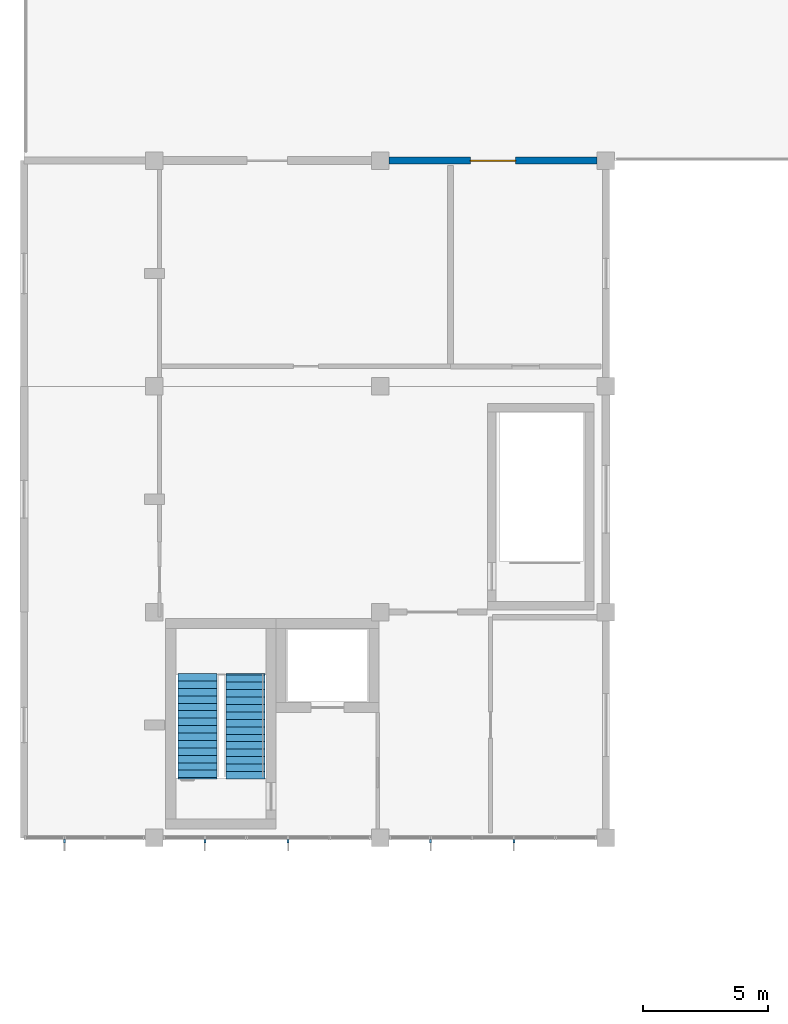
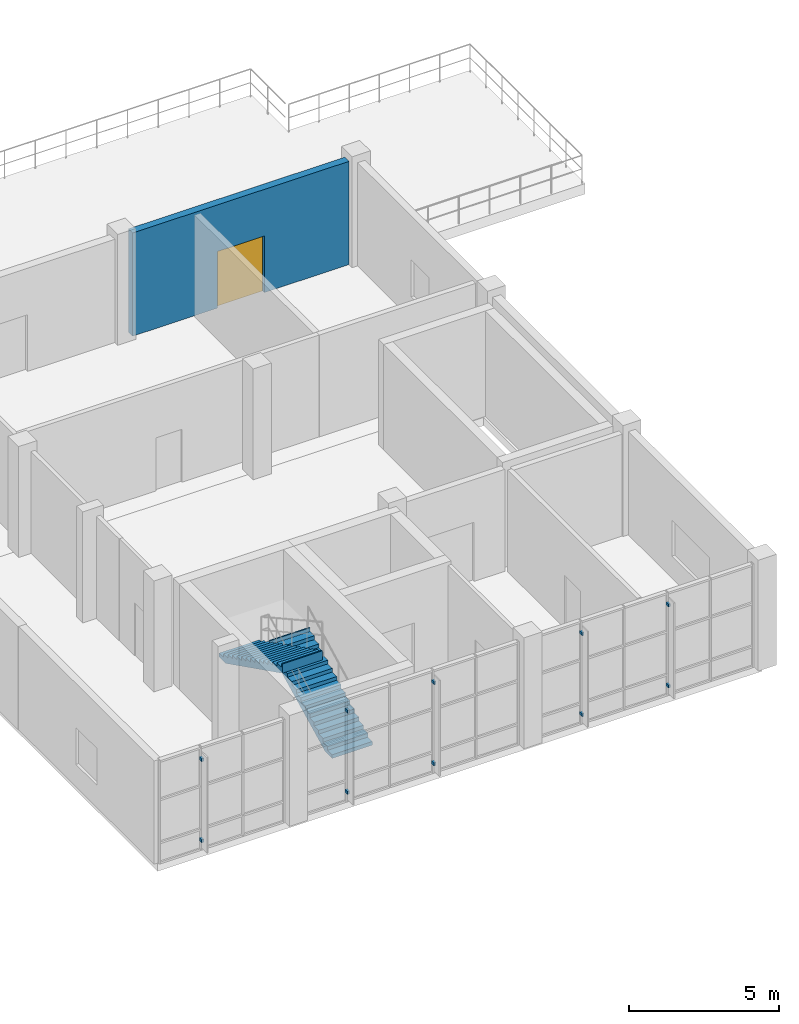
# One storey, part 26 of 29: 10 discrete accessories, 2 stair flights, 1 door, 1 wall, 1 opening, 1 element without a shape of its own.
"""IFC4 building model written with IfcOpenShell, lengths in metres."""

import ifcopenshell
import ifcopenshell.guid

model = None  # the IFC model being written
_history = None  # IfcOwnerHistory: only IFC2X3 demands one
_inside = {}  # id of a spatial element -> (the spatial element, [elements in it])
_under = {}  # id of a project, library or spatial element -> (it, [spatial elements below it])
_declared = {}  # id of a project -> (the project, [libraries it declares])
_typed = {}  # id of a type object -> (the type object, [elements of that type])
_made_of = {}  # id of a material, layer set ... -> (it, [elements and type objects made of it])


def new_model(schema):
    """Start an empty IFC model of exactly this schema.

    Asked for "IFC4X3", IfcOpenShell would pick the latest addendum, in which some entities
    have other attributes; the version numbers below select the first issue.
    IFC2X3 requires an IfcOwnerHistory on every rooted entity: one is made here for all.
    """
    global model, _history
    if schema == "IFC4X3":
        model = ifcopenshell.file(schema_version=(4, 3, 0, 0))
    else:
        model = ifcopenshell.file(schema=schema)
    _inside.clear()
    _under.clear()
    _declared.clear()
    _typed.clear()
    _made_of.clear()
    _history = None
    if model.schema == "IFC2X3":
        org = make("IfcOrganization", Name="unknown")
        user = make(
            "IfcPersonAndOrganization",
            ThePerson=make("IfcPerson", FamilyName="unknown"),
            TheOrganization=org,
        )
        app = make(
            "IfcApplication",
            ApplicationDeveloper=org,
            Version="unknown",
            ApplicationFullName="unknown",
            ApplicationIdentifier="unknown",
        )
        _history = make(
            "IfcOwnerHistory",
            OwningUser=user,
            OwningApplication=app,
            ChangeAction="ADDED",
            CreationDate=0,
        )
    return model


def make(cls, **values):
    """One entity of the class cls with the attributes given. An attribute that is None is left unset."""
    return model.create_entity(
        cls, **{name: value for name, value in values.items() if value is not None}
    )


def rooted(cls, **values):
    """An entity with a GlobalId (a new one), such as an element, a storey or a relation."""
    return make(cls, GlobalId=ifcopenshell.guid.new(), OwnerHistory=_history, **values)


def si_unit(unit_type, name, prefix=None):
    """IfcSIUnit, for example si_unit("LENGTHUNIT", "METRE", prefix="MILLI")."""
    return make("IfcSIUnit", UnitType=unit_type, Prefix=prefix, Name=name)


def assignment(units):
    """IfcUnitAssignment: the units of a project."""
    return None if units is None else make("IfcUnitAssignment", Units=units)


def point(xyz):
    """IfcCartesianPoint."""
    return None if xyz is None else make("IfcCartesianPoint", Coordinates=xyz)


def direction(xyz):
    """IfcDirection."""
    return None if xyz is None else make("IfcDirection", DirectionRatios=xyz)


def frame(location, z_axis=None, x_axis=None):
    """IfcAxis2Placement3D, a coordinate frame: its origin and axes. An axis left out is left unset."""
    return make(
        "IfcAxis2Placement3D",
        Location=point(location),
        Axis=direction(z_axis),
        RefDirection=direction(x_axis),
    )


def frame_2d(location, x_axis=None):
    """IfcAxis2Placement2D, a coordinate frame in the plane: its origin and x axis."""
    return make(
        "IfcAxis2Placement2D", Location=point(location), RefDirection=direction(x_axis)
    )


def origin():
    """The frame at (0, 0, 0) with its axes left unset."""
    return frame((0.0, 0.0, 0.0))


def origin_2d():
    """The frame at (0, 0) in the plane with its x axis left unset."""
    return frame_2d((0.0, 0.0))


def place(relative_to, where):
    """IfcLocalPlacement: puts the frame where relative to a parent placement (None: the world)."""
    return make(
        "IfcLocalPlacement", PlacementRelTo=relative_to, RelativePlacement=where
    )


def context(
    kind, dimensions, precision=None, world=None, true_north=None, identifier=None
):
    """IfcGeometricRepresentationContext, for example the 3D "Model" context."""
    return make(
        "IfcGeometricRepresentationContext",
        ContextIdentifier=identifier,
        ContextType=kind,
        CoordinateSpaceDimension=dimensions,
        Precision=precision,
        WorldCoordinateSystem=world,
        TrueNorth=true_north,
    )


def subcontext(parent, identifier, kind, view, scale=None):
    """IfcGeometricRepresentationSubContext, for example "Body" below "Model"."""
    return make(
        "IfcGeometricRepresentationSubContext",
        ContextIdentifier=identifier,
        ContextType=kind,
        ParentContext=parent,
        TargetScale=scale,
        TargetView=view,
    )


def project(units=None, contexts=None):
    """IfcProject with its units and contexts."""
    return rooted(
        "IfcProject",
        Name="project",
        RepresentationContexts=contexts,
        UnitsInContext=assignment(units),
    )


def spatial(cls, under=None, at=None, **own):
    """A site, building, storey or space (cls), placed at a placement, below another one or the project."""
    s = rooted(cls, ObjectPlacement=at, **own)
    if under is not None:
        _under.setdefault(under.id(), (under, []))[1].append(s)
    return s


def polyline(points):
    """IfcPolyline through the points."""
    return make("IfcPolyline", Points=[point(p) for p in points])


def profile(cls, at=None, kind="AREA", **sizes):
    """A parametric profile (cls). Its sizes go by their IFC names, for example OverallWidth=200.0."""
    return make(cls, ProfileType=kind, Position=at, **sizes)


def rectangle(**sizes):
    """IfcRectangleProfileDef."""
    return profile("IfcRectangleProfileDef", **sizes)


def outline(outer, holes=None, kind="AREA"):
    """IfcArbitraryClosedProfileDef: a profile drawn as a closed curve; with holes, ...WithVoids."""
    if holes is None:
        return make("IfcArbitraryClosedProfileDef", ProfileType=kind, OuterCurve=outer)
    return make(
        "IfcArbitraryProfileDefWithVoids",
        ProfileType=kind,
        OuterCurve=outer,
        InnerCurves=holes,
    )


def extrude(swept, where, along, depth):
    """IfcExtrudedAreaSolid: the profile swept, set in the frame where, extruded along a direction by depth."""
    return make(
        "IfcExtrudedAreaSolid",
        SweptArea=swept,
        Position=where,
        ExtrudedDirection=direction(along),
        Depth=depth,
    )


def shape(context_of_items, identifier, shape_type, items):
    """IfcShapeRepresentation: the items that make up one representation, for example the "Body"."""
    return make(
        "IfcShapeRepresentation",
        ContextOfItems=context_of_items,
        RepresentationIdentifier=identifier,
        RepresentationType=shape_type,
        Items=items,
    )


def material(Name=None, Category=None):
    """IfcMaterial."""
    return make("IfcMaterial", Name=Name, Category=Category)


def layer(
    of_material, thickness, ventilated=None, Name=None, Category=None, Priority=None
):
    """IfcMaterialLayer: one layer of a wall or slab, of a material (None: an air gap)."""
    return make(
        "IfcMaterialLayer",
        Material=of_material,
        LayerThickness=thickness,
        IsVentilated=ventilated,
        Name=Name,
        Category=Category,
        Priority=Priority,
    )


def layer_set(layers, Name=None):
    """IfcMaterialLayerSet."""
    return make("IfcMaterialLayerSet", MaterialLayers=layers, LayerSetName=Name)


def made_of(thing, what):
    """Note that an element or type object is made of a material, layer set ...; save() writes the relation."""
    if what is not None:
        _made_of.setdefault(what.id(), (what, []))[1].append(thing)
    return thing


def type_object(cls, material=None, **own):
    """A type object (cls), such as IfcWallType, which elements share."""
    return made_of(rooted(cls, **own), material)


def element(
    cls,
    number,
    at=None,
    inside=None,
    cuts=None,
    type_object=None,
    material=None,
    context=None,
    identifier="Body",
    shape_type=None,
    held_by="IfcProductDefinitionShape",
    body=None,
    shapes=None,
    **own,
):
    """One element of the class cls, such as IfcWall. Its Tag is "e" and its number.

    at: its placement. inside: the storey or other place that contains it. cuts: it is an
    opening in that element (IfcRelVoidsElement). A single representation is given by context,
    identifier, shape_type and body (its items); several are given by shapes. held_by: the class
    of the entity that holds the representations. save() writes the other relations.
    """
    e = rooted(cls, Tag="e%d" % number, ObjectPlacement=at, **own)
    if body is not None:
        shapes = [shape(context, identifier, shape_type, body)]
    if shapes is not None:
        e.Representation = make(held_by, Representations=shapes)
    if inside is not None:
        _inside.setdefault(inside.id(), (inside, []))[1].append(e)
    if cuts is not None:
        rooted(
            "IfcRelVoidsElement", RelatingBuildingElement=cuts, RelatedOpeningElement=e
        )
    if type_object is not None:
        _typed.setdefault(type_object.id(), (type_object, []))[1].append(e)
    return made_of(e, material)


def fill(opening, filler):
    """IfcRelFillsElement: the door or window that sits in an opening."""
    return rooted(
        "IfcRelFillsElement",
        RelatingOpeningElement=opening,
        RelatedBuildingElement=filler,
    )


def aggregate(whole, parts):
    """IfcRelAggregates: a whole, such as a stair, and the parts it consists of."""
    return rooted("IfcRelAggregates", RelatingObject=whole, RelatedObjects=parts)


def save(model, path):
    """Write the relations noted so far, then the file.

    IfcRelAggregates (storeys below a building ...), IfcRelContainedInSpatialStructure (elements
    in a storey), IfcRelDefinesByType, IfcRelAssociatesMaterial and IfcRelDeclares: one each for
    every whole, place, type object, material and project.
    """
    for whole, parts in _under.values():
        aggregate(whole, parts)
    for where, things in _inside.values():
        rooted(
            "IfcRelContainedInSpatialStructure",
            RelatedElements=things,
            RelatingStructure=where,
        )
    for kind, things in _typed.values():
        rooted("IfcRelDefinesByType", RelatedObjects=things, RelatingType=kind)
    for what, things in _made_of.values():
        rooted("IfcRelAssociatesMaterial", RelatedObjects=things, RelatingMaterial=what)
    for by, libraries in _declared.values():
        rooted("IfcRelDeclares", RelatingContext=by, RelatedDefinitions=libraries)
    model.write(path)


model = new_model("IFC4")

# Units and contexts
model_context = context("Model", 3, precision=1e-05, world=origin(), true_north=direction((0.0, 1.0)))
body_context = subcontext(model_context, "Body", "Model", "MODEL_VIEW")
ifc_project = project(units=[si_unit("LENGTHUNIT", "METRE"), si_unit("AREAUNIT", "SQUARE_METRE"), si_unit("VOLUMEUNIT", "CUBIC_METRE"), si_unit("PLANEANGLEUNIT", "RADIAN"), si_unit("MASSUNIT", "GRAM", prefix="KILO")], contexts=[model_context])

# Site, building, storey
site_placement = place(None, origin())
site = spatial("IfcSite", under=ifc_project, at=site_placement, CompositionType="ELEMENT")
building_placement = place(site_placement, origin())
building = spatial("IfcBuilding", under=site, at=building_placement, Name="Ventoquebrada Cableway Terminal", CompositionType="ELEMENT")
storey_placement = place(building_placement, frame((0.0, 0.0, 18.89990234375)))
storey = spatial("IfcBuildingStorey", under=building, at=storey_placement, Name="L04", CompositionType="ELEMENT", Elevation=18.89990234375)

# Wall, opening, door
ifc_material_1 = material(Name="Precast architectural concrete C40/50", Category="concrete")
ifc_layer = layer(ifc_material_1, 0.280029296875)
ifc_layer_set = layer_set([ifc_layer], Name="Precast architectural concrete C40/50")
wall_type = type_object("IfcWallType", Name="WL-EX1", PredefinedType="SOLIDWALL", material=ifc_layer_set)
wall_placement = place(storey_placement, frame((25.85498046875, 104.0, 0.0), z_axis=(0.0, 0.0, 1.0), x_axis=(-1.0, 0.0, 0.0)))
wall = element("IfcWall", 1, at=wall_placement, inside=storey, type_object=wall_type, Name="Exterior architectural wall EW-0175", PredefinedType="SOLIDWALL", context=body_context, shape_type="SweptSolid", body=[
    extrude(rectangle(XDim=8.31005859375, YDim=0.280029296875, at=frame_2d((4.155029296875, 0.0))), origin(), (0.0, 0.0, 1.0), 4.190185546875),
])
opening_placement = place(wall_placement, frame((3.2548828125, 0.0, 0.0)))
opening = element("IfcOpeningElement", 2, at=opening_placement, cuts=wall, Name="Opening D-TR-14", PredefinedType="OPENING", context=body_context, shape_type="SweptSolid", body=[
    extrude(rectangle(XDim=1.800048828125, YDim=2.300048828125, at=frame_2d((0.89990234375, 1.14990234375))), frame((0.0, 0.14990234375, 0.0), z_axis=(0.0, -1.0, 0.0), x_axis=(1.0, 0.0, 0.0)), (0.0, 0.0, 1.0), 0.300048828125),
])
ifc_material_2 = material(Name="Galvanized acoustic steel door assembly", Category="steel")
door_type = type_object("IfcDoorType", Name="DT-EX03", OperationType="DOUBLE_SWING_LEFT", PredefinedType="DOOR", material=ifc_material_2)
door_placement = place(opening_placement, origin())
door = element("IfcDoor", 3, at=door_placement, inside=storey, type_object=door_type, Name="Exterior d-tr door D-TR-14", OperationType="DOUBLE_SWING_LEFT", OverallHeight=2.300048828125, OverallWidth=1.800048828125, PredefinedType="DOOR", context=body_context, shape_type="SweptSolid", body=[
    extrude(rectangle(XDim=1.800048828125, YDim=2.300048828125, at=frame_2d((0.89990234375, 1.14990234375))), frame((0.0, 0.02490234375, 0.0), z_axis=(0.0, -1.0, 0.0), x_axis=(1.0, 0.0, 0.0)), (0.0, 0.0, 1.0), 0.050048828125),
])
fill(opening, door)

# Stair, stair flights
ifc_material_3 = material(Name="Concrete C40/50", Category="concrete")
stair_type = type_object("IfcStairType", Name="ST-T01", PredefinedType="HALF_TURN_STAIR", material=ifc_material_3)
stair_placement = place(storey_placement, origin())
stair = element("IfcStair", 4, at=stair_placement, inside=storey, type_object=stair_type, Name="Protected half-turn stair ST-19", PredefinedType="HALF_TURN_STAIR")
stair_flight_type = type_object("IfcStairFlightType", Name="SF-T01", PredefinedType="STRAIGHT", material=ifc_material_3)
stair_flight_1_placement = place(storey_placement, frame((11.824951171875, 79.35009765625, 0.0), z_axis=(0.0, 0.0, 1.0), x_axis=(0.0, 1.0, 0.0)))
stair_flight_1 = element("IfcStairFlight", 5, at=stair_flight_1_placement, type_object=stair_flight_type, Name="Lower stair flight SF-037", NumberOfRisers=15, NumberOfTreads=14, PredefinedType="STRAIGHT", RiserHeight=0.15, TreadLength=0.3, context=body_context, shape_type="SweptSolid", body=[
    extrude(outline(polyline([(0.0, 0.0), (0.0, 0.14990234375), (0.29638671875, 0.14990234375), (0.29638671875, 0.300048828125), (0.5927734375, 0.300048828125), (0.5927734375, 0.449951171875), (0.889404296875, 0.449951171875), (0.889404296875, 0.60009765625), (1.185791015625, 0.60009765625), (1.185791015625, 0.75), (1.482177734375, 0.75), (1.482177734375, 0.89990234375), (1.778564453125, 0.89990234375), (1.778564453125, 1.050048828125), (2.074951171875, 1.050048828125), (2.074951171875, 1.199951171875), (2.371337890625, 1.199951171875), (2.371337890625, 1.35009765625), (2.66796875, 1.35009765625), (2.66796875, 1.5), (2.96435546875, 1.5), (2.96435546875, 1.64990234375), (3.2607421875, 1.64990234375), (3.2607421875, 1.800048828125), (3.55712890625, 1.800048828125), (3.55712890625, 1.949951171875), (3.853515625, 1.949951171875), (3.853515625, 2.10009765625), (4.14990234375, 2.10009765625), (4.14990234375, 2.25), (4.199951171875, 2.25), (4.199951171875, 1.87646484375), (0.447021484375, 0.0), (0.0, 0.0)])), frame((0.0, 0.77490234375, 0.0), z_axis=(0.0, -1.0, 0.0), x_axis=(1.0, 0.0, 0.0)), (0.0, 0.0, 1.0), 1.550048828125),
])
stair_flight_2_placement = place(storey_placement, frame((9.9150390625, 83.550048828125, 2.25), z_axis=(0.0, 0.0, 1.0), x_axis=(0.0, -1.0, 0.0)))
stair_flight_2 = element("IfcStairFlight", 6, at=stair_flight_2_placement, type_object=stair_flight_type, Name="Upper stair flight SF-038", NumberOfRisers=15, NumberOfTreads=14, PredefinedType="STRAIGHT", RiserHeight=0.15, TreadLength=0.3, context=body_context, shape_type="SweptSolid", body=[
    extrude(outline(polyline([(0.0, 0.0), (0.0, 0.14990234375), (0.29638671875, 0.14990234375), (0.29638671875, 0.300048828125), (0.5927734375, 0.300048828125), (0.5927734375, 0.449951171875), (0.889404296875, 0.449951171875), (0.889404296875, 0.60009765625), (1.185791015625, 0.60009765625), (1.185791015625, 0.75), (1.482177734375, 0.75), (1.482177734375, 0.89990234375), (1.778564453125, 0.89990234375), (1.778564453125, 1.050048828125), (2.074951171875, 1.050048828125), (2.074951171875, 1.199951171875), (2.371337890625, 1.199951171875), (2.371337890625, 1.35009765625), (2.66796875, 1.35009765625), (2.66796875, 1.5), (2.96435546875, 1.5), (2.96435546875, 1.64990234375), (3.2607421875, 1.64990234375), (3.2607421875, 1.800048828125), (3.55712890625, 1.800048828125), (3.55712890625, 1.949951171875), (3.853515625, 1.949951171875), (3.853515625, 2.10009765625), (4.14990234375, 2.10009765625), (4.14990234375, 2.25), (4.199951171875, 2.25), (4.199951171875, 1.87646484375), (0.447021484375, 0.0), (0.0, 0.0)])), frame((0.0, 0.77490234375, 0.0), z_axis=(0.0, -1.0, 0.0), x_axis=(1.0, 0.0, 0.0)), (0.0, 0.0, 1.0), 1.550048828125),
])
aggregate(stair, [stair_flight_1, stair_flight_2])

# Discrete accessories
ifc_material_4 = material(Name="Anodized thermally-broken aluminium", Category="aluminium")
discrete_accessory_type = type_object("IfcDiscreteAccessoryType", Name="BRK-01", PredefinedType="BRACKET", material=ifc_material_4)
for number, where, z_axis, x_axis, name in (
    (7, (4.614990234375, 76.8798828125, 0.39013671875), (0.0, 0.0, 1.0), (1.0, 0.0, 0.0), "Sunshade bracket FN-039"),
    (8, (4.614990234375, 76.8798828125, 3.679931640625), (0.0, 0.0, 1.0), (1.0, 0.0, 0.0), "Sunshade bracket FN-039"),
    (9, (10.212890625, 76.8798828125, 0.39013671875), (0.0, 0.0, 1.0), (1.0, 0.0, 0.0), "Sunshade bracket FN-040"),
    (10, (10.212890625, 76.8798828125, 3.679931640625), (0.0, 0.0, 1.0), (1.0, 0.0, 0.0), "Sunshade bracket FN-040"),
    (11, (13.529052734375, 76.8798828125, 0.39013671875), (0.0, 0.0, 1.0), (1.0, 0.0, 0.0), "Sunshade bracket FN-041"),
    (12, (13.529052734375, 76.8798828125, 3.679931640625), (0.0, 0.0, 1.0), (1.0, 0.0, 0.0), "Sunshade bracket FN-041"),
    (13, (19.212890625, 76.8798828125, 0.39013671875), (0.0, 0.0, 1.0), (1.0, 0.0, 0.0), "Sunshade bracket FN-042"),
    (14, (19.212890625, 76.8798828125, 3.679931640625), (0.0, 0.0, 1.0), (1.0, 0.0, 0.0), "Sunshade bracket FN-042"),
    (15, (22.529052734375, 76.8798828125, 0.39013671875), (0.0, 0.0, 1.0), (1.0, 0.0, 0.0), "Sunshade bracket FN-043"),
    (16, (22.529052734375, 76.8798828125, 3.679931640625), (0.0, 0.0, 1.0), (1.0, 0.0, 0.0), "Sunshade bracket FN-043"),
):
    element("IfcDiscreteAccessory", number, at=place(storey_placement, frame(where, z_axis=z_axis, x_axis=x_axis)), inside=storey, type_object=discrete_accessory_type, Name=name, PredefinedType="BRACKET", context=body_context, shape_type="SweptSolid", body=[
        extrude(rectangle(XDim=0.080078125, YDim=0.159912109375, at=origin_2d()), origin(), (0.0, 0.0, 1.0), 0.1201171875),
    ])

save(model, "model.ifc")
